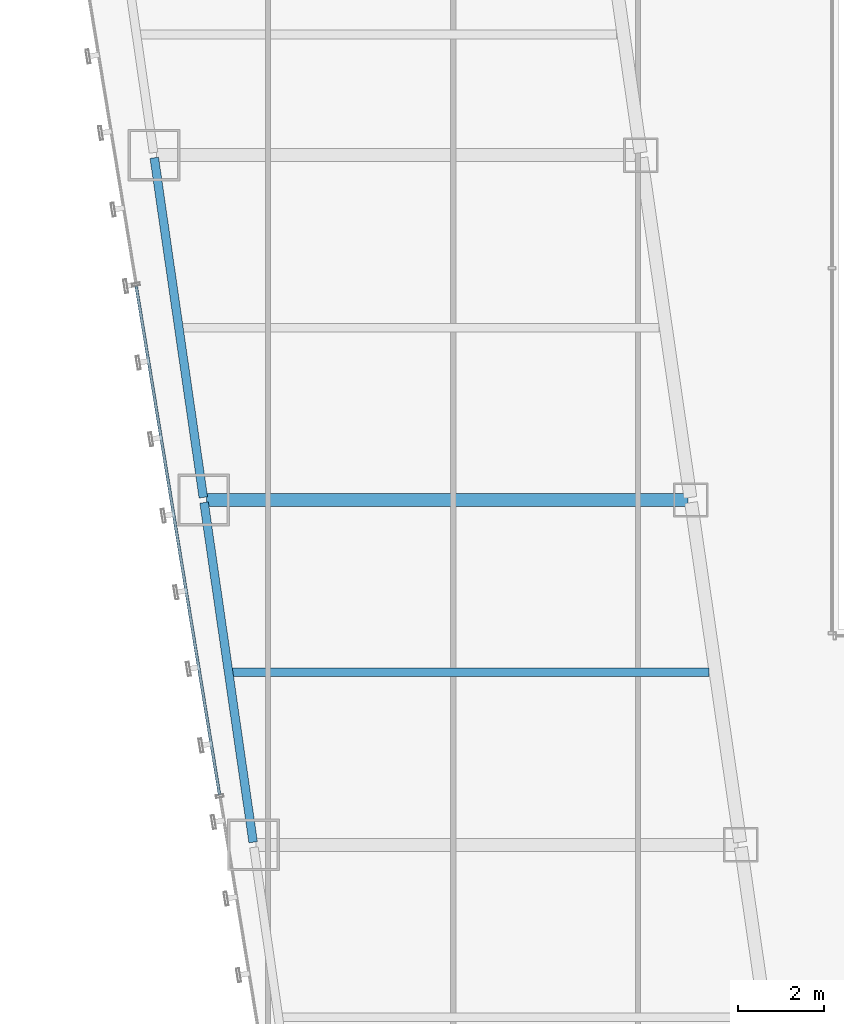
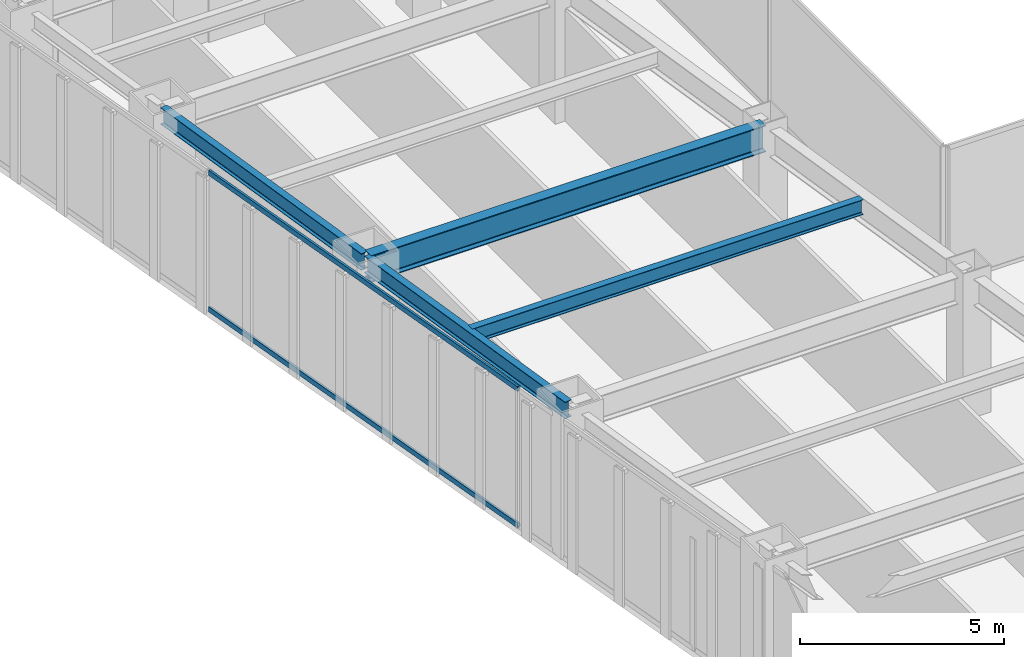
# One storey, part 10 of 47: 4 beams, 2 members, 1 element without a shape of its own.
"""IFC4 building model written with IfcOpenShell, lengths in metres."""

import ifcopenshell
import ifcopenshell.guid

model = None  # the IFC model being written
_history = None  # IfcOwnerHistory: only IFC2X3 demands one
_inside = {}  # id of a spatial element -> (the spatial element, [elements in it])
_under = {}  # id of a project, library or spatial element -> (it, [spatial elements below it])
_declared = {}  # id of a project -> (the project, [libraries it declares])
_typed = {}  # id of a type object -> (the type object, [elements of that type])
_made_of = {}  # id of a material, layer set ... -> (it, [elements and type objects made of it])


def new_model(schema):
    """Start an empty IFC model of exactly this schema.

    Asked for "IFC4X3", IfcOpenShell would pick the latest addendum, in which some entities
    have other attributes; the version numbers below select the first issue.
    IFC2X3 requires an IfcOwnerHistory on every rooted entity: one is made here for all.
    """
    global model, _history
    if schema == "IFC4X3":
        model = ifcopenshell.file(schema_version=(4, 3, 0, 0))
    else:
        model = ifcopenshell.file(schema=schema)
    _inside.clear()
    _under.clear()
    _declared.clear()
    _typed.clear()
    _made_of.clear()
    _history = None
    if model.schema == "IFC2X3":
        org = make("IfcOrganization", Name="unknown")
        user = make(
            "IfcPersonAndOrganization",
            ThePerson=make("IfcPerson", FamilyName="unknown"),
            TheOrganization=org,
        )
        app = make(
            "IfcApplication",
            ApplicationDeveloper=org,
            Version="unknown",
            ApplicationFullName="unknown",
            ApplicationIdentifier="unknown",
        )
        _history = make(
            "IfcOwnerHistory",
            OwningUser=user,
            OwningApplication=app,
            ChangeAction="ADDED",
            CreationDate=0,
        )
    return model


def make(cls, **values):
    """One entity of the class cls with the attributes given. An attribute that is None is left unset."""
    return model.create_entity(
        cls, **{name: value for name, value in values.items() if value is not None}
    )


def rooted(cls, **values):
    """An entity with a GlobalId (a new one), such as an element, a storey or a relation."""
    return make(cls, GlobalId=ifcopenshell.guid.new(), OwnerHistory=_history, **values)


def si_unit(unit_type, name, prefix=None):
    """IfcSIUnit, for example si_unit("LENGTHUNIT", "METRE", prefix="MILLI")."""
    return make("IfcSIUnit", UnitType=unit_type, Prefix=prefix, Name=name)


def assignment(units):
    """IfcUnitAssignment: the units of a project."""
    return None if units is None else make("IfcUnitAssignment", Units=units)


def point(xyz):
    """IfcCartesianPoint."""
    return None if xyz is None else make("IfcCartesianPoint", Coordinates=xyz)


def direction(xyz):
    """IfcDirection."""
    return None if xyz is None else make("IfcDirection", DirectionRatios=xyz)


def frame(location, z_axis=None, x_axis=None):
    """IfcAxis2Placement3D, a coordinate frame: its origin and axes. An axis left out is left unset."""
    return make(
        "IfcAxis2Placement3D",
        Location=point(location),
        Axis=direction(z_axis),
        RefDirection=direction(x_axis),
    )


def frame_2d(location, x_axis=None):
    """IfcAxis2Placement2D, a coordinate frame in the plane: its origin and x axis."""
    return make(
        "IfcAxis2Placement2D", Location=point(location), RefDirection=direction(x_axis)
    )


def origin():
    """The frame at (0, 0, 0) with its axes left unset."""
    return frame((0.0, 0.0, 0.0))


def origin_2d():
    """The frame at (0, 0) in the plane with its x axis left unset."""
    return frame_2d((0.0, 0.0))


def place(relative_to, where):
    """IfcLocalPlacement: puts the frame where relative to a parent placement (None: the world)."""
    return make(
        "IfcLocalPlacement", PlacementRelTo=relative_to, RelativePlacement=where
    )


def context(
    kind, dimensions, precision=None, world=None, true_north=None, identifier=None
):
    """IfcGeometricRepresentationContext, for example the 3D "Model" context."""
    return make(
        "IfcGeometricRepresentationContext",
        ContextIdentifier=identifier,
        ContextType=kind,
        CoordinateSpaceDimension=dimensions,
        Precision=precision,
        WorldCoordinateSystem=world,
        TrueNorth=true_north,
    )


def subcontext(parent, identifier, kind, view, scale=None):
    """IfcGeometricRepresentationSubContext, for example "Body" below "Model"."""
    return make(
        "IfcGeometricRepresentationSubContext",
        ContextIdentifier=identifier,
        ContextType=kind,
        ParentContext=parent,
        TargetScale=scale,
        TargetView=view,
    )


def project(units=None, contexts=None):
    """IfcProject with its units and contexts."""
    return rooted(
        "IfcProject",
        Name="project",
        RepresentationContexts=contexts,
        UnitsInContext=assignment(units),
    )


def spatial(cls, under=None, at=None, **own):
    """A site, building, storey or space (cls), placed at a placement, below another one or the project."""
    s = rooted(cls, ObjectPlacement=at, **own)
    if under is not None:
        _under.setdefault(under.id(), (under, []))[1].append(s)
    return s


def profile(cls, at=None, kind="AREA", **sizes):
    """A parametric profile (cls). Its sizes go by their IFC names, for example OverallWidth=200.0."""
    return make(cls, ProfileType=kind, Position=at, **sizes)


def hollow_rectangle(**sizes):
    """IfcRectangleHollowProfileDef."""
    return profile("IfcRectangleHollowProfileDef", **sizes)


def i_section(**sizes):
    """IfcIShapeProfileDef."""
    return profile("IfcIShapeProfileDef", **sizes)


def extrude(swept, where, along, depth):
    """IfcExtrudedAreaSolid: the profile swept, set in the frame where, extruded along a direction by depth."""
    return make(
        "IfcExtrudedAreaSolid",
        SweptArea=swept,
        Position=where,
        ExtrudedDirection=direction(along),
        Depth=depth,
    )


def shape(context_of_items, identifier, shape_type, items):
    """IfcShapeRepresentation: the items that make up one representation, for example the "Body"."""
    return make(
        "IfcShapeRepresentation",
        ContextOfItems=context_of_items,
        RepresentationIdentifier=identifier,
        RepresentationType=shape_type,
        Items=items,
    )


def material(Name=None, Category=None):
    """IfcMaterial."""
    return make("IfcMaterial", Name=Name, Category=Category)


def material_profile(
    of_material, cross_section, Name=None, Category=None, Priority=None
):
    """IfcMaterialProfile: a cross section and its material."""
    return make(
        "IfcMaterialProfile",
        Name=Name,
        Material=of_material,
        Profile=cross_section,
        Priority=Priority,
        Category=Category,
    )


def profile_set(profiles, Name=None, composite=None):
    """IfcMaterialProfileSet."""
    return make(
        "IfcMaterialProfileSet",
        Name=Name,
        MaterialProfiles=profiles,
        CompositeProfile=composite,
    )


def made_of(thing, what):
    """Note that an element or type object is made of a material, layer set ...; save() writes the relation."""
    if what is not None:
        _made_of.setdefault(what.id(), (what, []))[1].append(thing)
    return thing


def type_object(cls, material=None, **own):
    """A type object (cls), such as IfcWallType, which elements share."""
    return made_of(rooted(cls, **own), material)


def element(
    cls,
    number,
    at=None,
    inside=None,
    cuts=None,
    type_object=None,
    material=None,
    context=None,
    identifier="Body",
    shape_type=None,
    held_by="IfcProductDefinitionShape",
    body=None,
    shapes=None,
    **own,
):
    """One element of the class cls, such as IfcWall. Its Tag is "e" and its number.

    at: its placement. inside: the storey or other place that contains it. cuts: it is an
    opening in that element (IfcRelVoidsElement). A single representation is given by context,
    identifier, shape_type and body (its items); several are given by shapes. held_by: the class
    of the entity that holds the representations. save() writes the other relations.
    """
    e = rooted(cls, Tag="e%d" % number, ObjectPlacement=at, **own)
    if body is not None:
        shapes = [shape(context, identifier, shape_type, body)]
    if shapes is not None:
        e.Representation = make(held_by, Representations=shapes)
    if inside is not None:
        _inside.setdefault(inside.id(), (inside, []))[1].append(e)
    if cuts is not None:
        rooted(
            "IfcRelVoidsElement", RelatingBuildingElement=cuts, RelatedOpeningElement=e
        )
    if type_object is not None:
        _typed.setdefault(type_object.id(), (type_object, []))[1].append(e)
    return made_of(e, material)


def aggregate(whole, parts):
    """IfcRelAggregates: a whole, such as a stair, and the parts it consists of."""
    return rooted("IfcRelAggregates", RelatingObject=whole, RelatedObjects=parts)


def save(model, path):
    """Write the relations noted so far, then the file.

    IfcRelAggregates (storeys below a building ...), IfcRelContainedInSpatialStructure (elements
    in a storey), IfcRelDefinesByType, IfcRelAssociatesMaterial and IfcRelDeclares: one each for
    every whole, place, type object, material and project.
    """
    for whole, parts in _under.values():
        aggregate(whole, parts)
    for where, things in _inside.values():
        rooted(
            "IfcRelContainedInSpatialStructure",
            RelatedElements=things,
            RelatingStructure=where,
        )
    for kind, things in _typed.values():
        rooted("IfcRelDefinesByType", RelatedObjects=things, RelatingType=kind)
    for what, things in _made_of.values():
        rooted("IfcRelAssociatesMaterial", RelatedObjects=things, RelatingMaterial=what)
    for by, libraries in _declared.values():
        rooted("IfcRelDeclares", RelatingContext=by, RelatedDefinitions=libraries)
    model.write(path)


model = new_model("IFC4")

# Units and contexts
model_context = context("Model", 3, precision=1e-05, world=origin(), true_north=direction((0.0, 1.0)))
body_context = subcontext(model_context, "Body", "Model", "MODEL_VIEW")
ifc_project = project(units=[si_unit("LENGTHUNIT", "METRE"), si_unit("AREAUNIT", "SQUARE_METRE"), si_unit("VOLUMEUNIT", "CUBIC_METRE"), si_unit("PLANEANGLEUNIT", "RADIAN"), si_unit("MASSUNIT", "GRAM", prefix="KILO")], contexts=[model_context])

# Site, building, storey
site_placement = place(None, origin())
site = spatial("IfcSite", under=ifc_project, at=site_placement, CompositionType="ELEMENT")
building_placement = place(site_placement, origin())
building = spatial("IfcBuilding", under=site, at=building_placement, Name="Saevonmaru Cultural Tower", CompositionType="ELEMENT")
storey_placement = place(building_placement, frame((0.0, 0.0, 78.0)))
storey = spatial("IfcBuildingStorey", under=building, at=storey_placement, Name="L16", CompositionType="ELEMENT", Elevation=78.0)

# Beams
ifc_material_1 = material(Name="Steel SM420", Category="steel")
ifc_material_profile_1 = material_profile(ifc_material_1, i_section(OverallWidth=0.300048828125, OverallDepth=0.800048828125, WebThickness=0.013916015625, FlangeThickness=0.02587890625, FilletRadius=0.028076171875, at=origin_2d()), Name="H-800x300x14x26")
ifc_profile_set_1 = profile_set([ifc_material_profile_1], Name="Steel SM420")
beam_type_1 = type_object("IfcBeamType", Name="BM-G-H800", PredefinedType="BEAM", material=ifc_profile_set_1)
beam_1_placement = place(storey_placement, frame((9.531982421875, 24.0, 3.75), z_axis=(1.0, 0.0, 0.0), x_axis=(0.0, 1.0, 0.0)))
element("IfcBeam", 1, at=beam_1_placement, inside=storey, type_object=beam_type_1, Name="L16 West Wing Transverse Girder 4", PredefinedType="BEAM", context=body_context, shape_type="SweptSolid", body=[
    extrude(i_section(OverallWidth=0.300048828125, OverallDepth=0.800048828125, WebThickness=0.013916015625, FlangeThickness=0.02587890625, FilletRadius=0.028076171875, at=origin_2d()), origin(), (0.0, 0.0, 1.0), 11.179931640625),
])
ifc_material_2 = material(Name="Steel SM355", Category="steel")
ifc_material_profile_2 = material_profile(ifc_material_2, i_section(OverallWidth=0.199951171875, OverallDepth=0.449951171875, WebThickness=0.009033203125, FlangeThickness=0.013916015625, FilletRadius=0.01806640625, at=origin_2d()), Name="H-450x200x9x14")
ifc_profile_set_2 = profile_set([ifc_material_profile_2], Name="Steel SM355")
beam_type_2 = type_object("IfcBeamType", Name="BM-J-H450", PredefinedType="JOIST", material=ifc_profile_set_2)
beam_2_placement = place(storey_placement, frame((10.110107421875, 20.0, 3.925048828125), z_axis=(1.0, 0.0, 0.0), x_axis=(0.0, 1.0, 0.0)))
element("IfcBeam", 2, at=beam_2_placement, inside=storey, type_object=beam_type_2, Name="L16 West Wing Floor Joist 3", PredefinedType="JOIST", context=body_context, shape_type="SweptSolid", body=[
    extrude(i_section(OverallWidth=0.199951171875, OverallDepth=0.449951171875, WebThickness=0.009033203125, FlangeThickness=0.013916015625, FilletRadius=0.01806640625, at=origin_2d()), origin(), (0.0, 0.0, 1.0), 11.081787109375),
])
ifc_material_profile_3 = material_profile(ifc_material_2, i_section(OverallWidth=0.199951171875, OverallDepth=0.5, WebThickness=0.010009765625, FlangeThickness=0.01611328125, FilletRadius=0.02001953125, at=origin_2d()), Name="H-500x200x10x16")
ifc_profile_set_3 = profile_set([ifc_material_profile_3], Name="Steel SM355")
beam_type_3 = type_object("IfcBeamType", Name="BM-SP-H500", PredefinedType="SPANDREL", material=ifc_profile_set_3)
for number, where, z_axis, x_axis, name in (
    (3, (10.619384765625, 16.059326171875, 3.89990234375), (-0.142992129437, 0.989723825579, 0.0), (-0.989723825579, -0.142992129437, 0.0), "L16 West Splayed Spandrel 3"),
    (4, (9.46337890625, 24.059326171875, 3.89990234375), (-0.142871999001, 0.989741174197, 0.0), (-0.989741174197, -0.142871999001, 0.0), "L16 West Splayed Spandrel 4"),
):
    element("IfcBeam", number, at=place(storey_placement, frame(where, z_axis=z_axis, x_axis=x_axis)), inside=storey, type_object=beam_type_3, Name=name, PredefinedType="SPANDREL", context=body_context, shape_type="SweptSolid", body=[
        extrude(i_section(OverallWidth=0.199951171875, OverallDepth=0.5, WebThickness=0.010009765625, FlangeThickness=0.01611328125, FilletRadius=0.02001953125, at=origin_2d()), origin(), (0.0, 0.0, 1.0), 7.963134765625),
    ])

# Curtain wall, members
ifc_material_3 = material(Name="Satin Bronze Anodised Aluminium", Category="aluminium")
curtain_wall_type = type_object("IfcCurtainWallType", Name="CW-TYP-A", PredefinedType="NOTDEFINED", material=ifc_material_3)
curtain_wall_placement = place(storey_placement, origin())
curtain_wall = element("IfcCurtainWall", 5, at=curtain_wall_placement, inside=storey, type_object=curtain_wall_type, Name="L16 Unitised Curtain Wall E12", PredefinedType="NOTDEFINED")
ifc_material_profile_4 = material_profile(ifc_material_3, hollow_rectangle(XDim=0.06494140625, YDim=0.14990234375, WallThickness=0.00390625, at=origin_2d()), Name="ALU-TRAN-150x65x4")
ifc_profile_set_4 = profile_set([ifc_material_profile_4], Name="Satin Bronze Anodised Aluminium")
member_type = type_object("IfcMemberType", Name="TR-CW-150x65", PredefinedType="USERDEFINED", material=ifc_profile_set_4)
member_1_placement = place(storey_placement, frame((7.9052734375, 28.968017578125, 0.032470703125), z_axis=(0.161701400727, -0.986839732177, 0.0), x_axis=(0.986839732177, 0.161701400727, 0.0)))
member_1 = element("IfcMember", 6, at=member_1_placement, type_object=member_type, Name="CW-TW-L16-E12 transom 3.1", ObjectType="TRANSOM", PredefinedType="USERDEFINED", context=body_context, shape_type="SweptSolid", body=[
    extrude(hollow_rectangle(XDim=0.06494140625, YDim=0.14990234375, WallThickness=0.00390625, at=origin_2d()), origin(), (0.0, 0.0, 1.0), 11.9638671875),
])
member_2_placement = place(storey_placement, frame((7.9052734375, 28.968017578125, 4.117431640625), z_axis=(0.161701400727, -0.986839732177, 0.0), x_axis=(0.986839732177, 0.161701400727, 0.0)))
member_2 = element("IfcMember", 7, at=member_2_placement, type_object=member_type, Name="CW-TW-L16-E12 transom 3.2", ObjectType="TRANSOM", PredefinedType="USERDEFINED", context=body_context, shape_type="SweptSolid", body=[
    extrude(hollow_rectangle(XDim=0.06494140625, YDim=0.14990234375, WallThickness=0.00390625, at=origin_2d()), origin(), (0.0, 0.0, 1.0), 11.9638671875),
])
aggregate(curtain_wall, [member_1, member_2])

save(model, "model.ifc")
